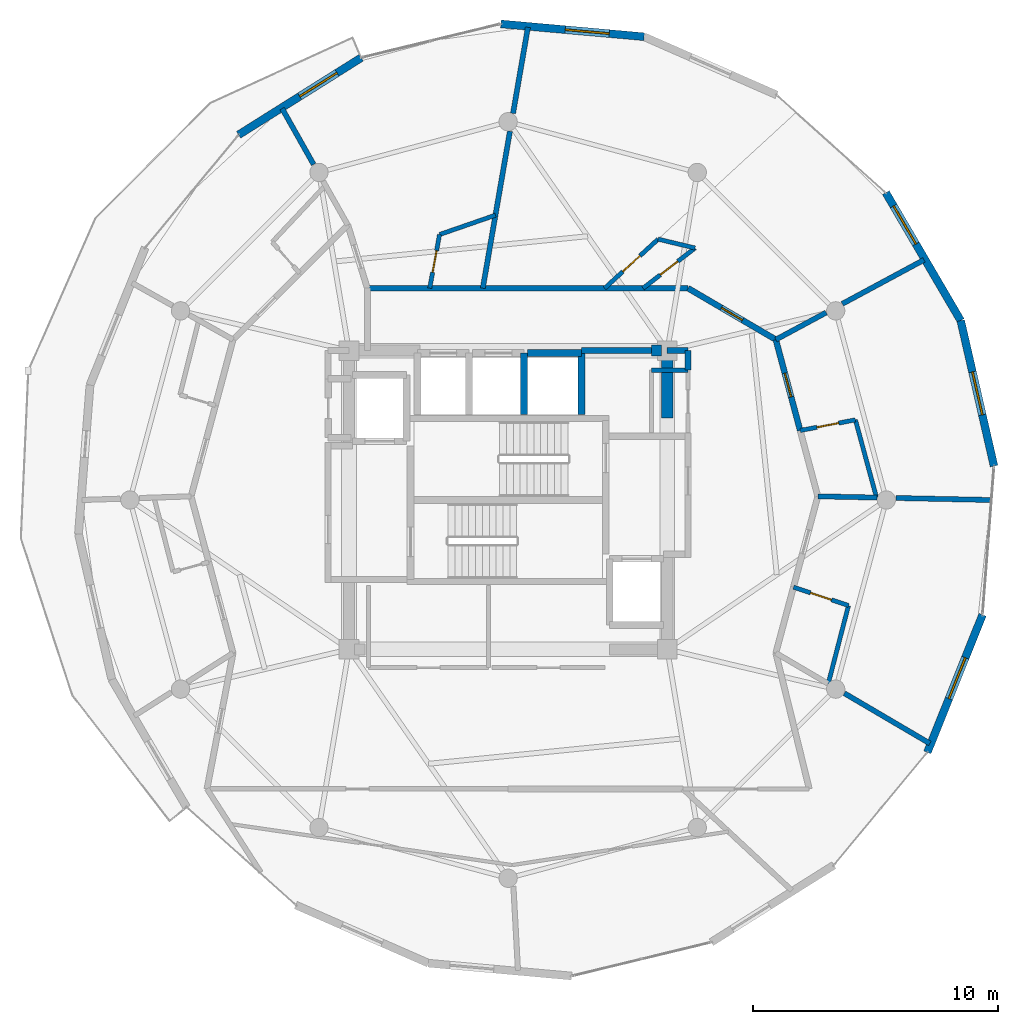
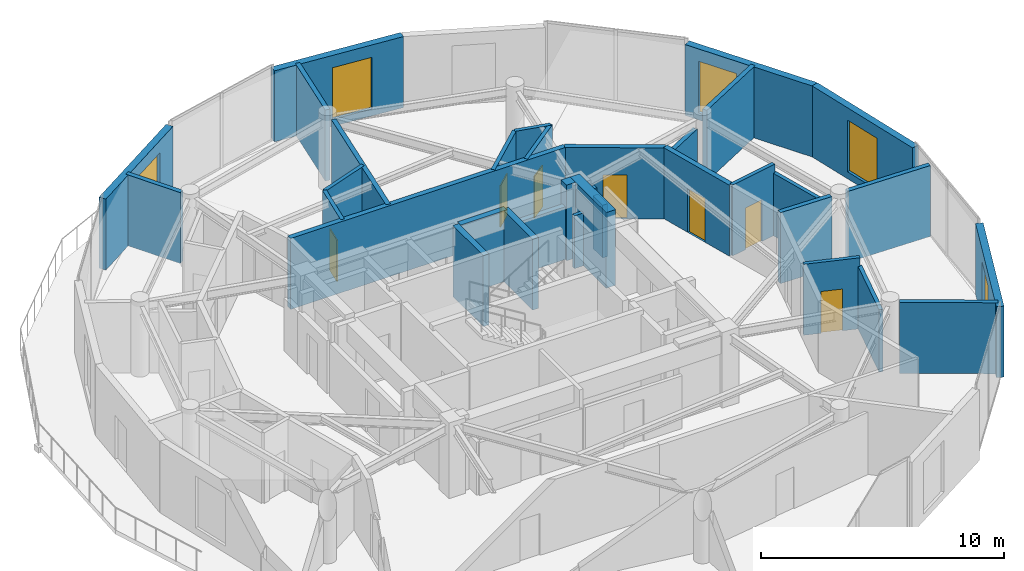
# One storey, part 16 of 19: 34 walls, 7 doors, 5 windows, 12 openings.
"""IFC4 building model written with IfcOpenShell, lengths in metres."""

from ifc_helpers import new_model, si_unit, direction, frame, frame_2d, origin, place, context, subcontext, project, spatial, rectangle, extrude, material, layer, layer_set, type_object, element, fill, save


model = new_model("IFC4")

# Units and contexts
model_context = context("Model", 3, precision=1e-05, world=origin(), true_north=direction((0.0, 1.0)))
body_context = subcontext(model_context, "Body", "Model", "MODEL_VIEW")
ifc_project = project(units=[si_unit("LENGTHUNIT", "METRE"), si_unit("AREAUNIT", "SQUARE_METRE"), si_unit("VOLUMEUNIT", "CUBIC_METRE"), si_unit("PLANEANGLEUNIT", "RADIAN"), si_unit("MASSUNIT", "GRAM", prefix="KILO")], contexts=[model_context])

# Site, building, storey
site_placement = place(None, origin())
site = spatial("IfcSite", under=ifc_project, at=site_placement, CompositionType="ELEMENT")
building_placement = place(site_placement, origin())
building = spatial("IfcBuilding", under=site, at=building_placement, Name="Solvirekh Grand Hotel", CompositionType="ELEMENT")
storey_placement = place(building_placement, frame((0.0, 0.0, 266.800048828125)))
storey = spatial("IfcBuildingStorey", under=building, at=storey_placement, Name="L69", CompositionType="ELEMENT", Elevation=266.800048828125)

# Walls
ifc_material_1 = material(Name="Concrete C40/50", Category="concrete")
ifc_layer_1 = layer(ifc_material_1, 0.280029296875)
ifc_layer_set_1 = layer_set([ifc_layer_1], Name="Concrete C40/50")
wall_type_1 = type_object("IfcWallType", Name="CoreShaftWall_RC280", PredefinedType="SOLIDWALL", material=ifc_layer_set_1)
wall_1_placement = place(storey_placement, frame((0.64990234375, 3.5, 0.0), z_axis=(0.0, 0.0, 1.0), x_axis=(0.0, 1.0, 0.0)))
element("IfcWall", 1, at=wall_1_placement, inside=storey, type_object=wall_type_1, Name="L69 HP-2 hoistway E wall", PredefinedType="SOLIDWALL", context=body_context, shape_type="SweptSolid", body=[
    extrude(rectangle(XDim=2.5, YDim=0.280029296875, at=frame_2d((1.25, 0.0))), origin(), (0.0, 0.0, 1.0), 3.570068359375),
])
wall_2_placement = place(storey_placement, frame((3.0, 6.0, 0.0), z_axis=(0.0, 0.0, 1.0), x_axis=(-1.0, 0.0, 0.0)))
element("IfcWall", 2, at=wall_2_placement, inside=storey, type_object=wall_type_1, Name="L69 EX-1 hoistway N wall", PredefinedType="SOLIDWALL", context=body_context, shape_type="SweptSolid", body=[
    extrude(rectangle(XDim=2.199951171875, YDim=0.280029296875, at=frame_2d((1.10009765625, 0.0))), origin(), (0.0, 0.0, 1.0), 3.570068359375),
])
wall_3_placement = place(storey_placement, frame((3.0, 3.5, 0.0), z_axis=(0.0, 0.0, 1.0), x_axis=(0.0, 1.0, 0.0)))
element("IfcWall", 3, at=wall_3_placement, inside=storey, type_object=wall_type_1, Name="L69 EX-1 hoistway E wall", PredefinedType="SOLIDWALL", context=body_context, shape_type="SweptSolid", body=[
    extrude(rectangle(XDim=2.5, YDim=0.280029296875, at=frame_2d((1.25, 0.0))), origin(), (0.0, 0.0, 1.0), 3.570068359375),
])
ifc_material_2 = material(Name="Concrete C50/60", Category="concrete")
ifc_layer_2 = layer(ifc_material_2, 0.449951171875)
ifc_layer_set_2 = layer_set([ifc_layer_2], Name="Concrete C50/60")
wall_type_2 = type_object("IfcWallType", Name="CoreWall_RC450", PredefinedType="SHEAR", material=ifc_layer_set_2)
wall_4_placement = place(storey_placement, frame((5.85009765625, 6.10009765625, 0.0), z_axis=(0.0, 0.0, 1.0), x_axis=(1.0, 0.0, 0.0)))
element("IfcWall", 4, at=wall_4_placement, inside=storey, type_object=wall_type_2, Name="L69 core corner shear wall NE-N", PredefinedType="SHEAR", context=body_context, shape_type="SweptSolid", body=[
    extrude(rectangle(XDim=0.4248046875, YDim=0.449951171875, at=frame_2d((0.21240234375, 0.0))), origin(), (0.0, 0.0, 1.0), 3.800048828125),
])
wall_5_placement = place(storey_placement, frame((6.5, 3.35009765625, 0.0), z_axis=(0.0, 0.0, 1.0), x_axis=(0.0, 1.0, 0.0)))
element("IfcWall", 5, at=wall_5_placement, inside=storey, type_object=wall_type_2, Name="L69 core corner shear wall EN-E", PredefinedType="SHEAR", context=body_context, shape_type="SweptSolid", body=[
    extrude(rectangle(XDim=2.974853515625, YDim=0.449951171875, at=frame_2d((1.4873046875, 0.0))), origin(), (0.0, 0.0, 1.0), 3.800048828125),
])

# Wall, opening, window
ifc_material_3 = material(Name="Precast concrete C45/55", Category="concrete")
ifc_layer_3 = layer(ifc_material_3, 0.320068359375)
ifc_layer_set_3 = layer_set([ifc_layer_3], Name="Precast concrete C45/55")
wall_type_3 = type_object("IfcWallType", Name="ExtLobbyWall_RC320", PredefinedType="SOLIDWALL", material=ifc_layer_set_3)
wall_6_placement = place(storey_placement, frame((19.37890625, -4.69091796875, 0.0), z_axis=(0.0, 0.0, 1.0), x_axis=(-0.3723361771, -0.928097931914, 0.0)))
wall_6 = element("IfcWall", 6, at=wall_6_placement, inside=storey, type_object=wall_type_3, Name="L69 exterior structural wall chord 4", PredefinedType="SOLIDWALL", context=body_context, shape_type="SweptSolid", body=[
    extrude(rectangle(XDim=6.053466796875, YDim=0.320068359375, at=frame_2d((3.02685546875, 0.0))), origin(), (0.0, 0.0, 1.0), 3.570068359375),
])
opening_1_placement = place(wall_6_placement, frame((1.888916015625, 0.0, 0.35009765625)))
opening_1 = element("IfcOpeningElement", 7, at=opening_1_placement, cuts=wall_6, Name="Opening W02", PredefinedType="OPENING", context=body_context, shape_type="SweptSolid", body=[
    extrude(rectangle(XDim=1.800048828125, YDim=2.60009765625, at=frame_2d((0.89990234375, 1.300048828125))), frame((0.0, 0.169921875, 0.0), z_axis=(0.0, -1.0, 0.0), x_axis=(1.0, 0.0, 0.0)), (0.0, 0.0, 1.0), 0.340087890625),
])
ifc_material_4 = material(Name="Low-E Tinted Bronze Laminated Glass", Category="aluminium")
window_type = type_object("IfcWindowType", Name="Win_LobbyExt_1800X2600", PartitioningType="SINGLE_PANEL", PredefinedType="WINDOW", material=ifc_material_4)
window_1_placement = place(opening_1_placement, origin())
window_1 = element("IfcWindow", 8, at=window_1_placement, inside=storey, type_object=window_type, Name="L69 panoramic bronze-framed window 4", OverallHeight=2.60009765625, OverallWidth=1.800048828125, PartitioningType="SINGLE_PANEL", PredefinedType="WINDOW", context=body_context, shape_type="SweptSolid", body=[
    extrude(rectangle(XDim=1.800048828125, YDim=2.60009765625, at=frame_2d((0.89990234375, 1.300048828125))), frame((0.0, 0.030029296875, 0.0), z_axis=(0.0, -1.0, 0.0), x_axis=(1.0, 0.0, 0.0)), (0.0, 0.0, 1.0), 0.06005859375),
])
fill(opening_1, window_1)

wall_7_placement = place(storey_placement, frame((18.488037109375, 7.327880859375, 0.0), z_axis=(0.0, 0.0, 1.0), x_axis=(0.223282610096, -0.974753751482, 0.0)))
wall_7 = element("IfcWall", 9, at=wall_7_placement, inside=storey, type_object=wall_type_3, Name="L69 exterior structural wall chord 6", PredefinedType="SOLIDWALL", context=body_context, shape_type="SweptSolid", body=[
    extrude(rectangle(XDim=6.095703125, YDim=0.320068359375, at=frame_2d((3.0478515625, 0.0))), origin(), (0.0, 0.0, 1.0), 3.570068359375),
])
opening_2_placement = place(wall_7_placement, frame((2.14794921875, 0.0, 0.35009765625)))
opening_2 = element("IfcOpeningElement", 10, at=opening_2_placement, cuts=wall_7, Name="Opening W02", PredefinedType="OPENING", context=body_context, shape_type="SweptSolid", body=[
    extrude(rectangle(XDim=1.800048828125, YDim=2.60009765625, at=frame_2d((0.89990234375, 1.300048828125))), frame((0.0, 0.169921875, 0.0), z_axis=(0.0, -1.0, 0.0), x_axis=(1.0, 0.0, 0.0)), (0.0, 0.0, 1.0), 0.340087890625),
])
window_2_placement = place(opening_2_placement, origin())
window_2 = element("IfcWindow", 11, at=window_2_placement, inside=storey, type_object=window_type, Name="L69 panoramic bronze-framed window 6", OverallHeight=2.60009765625, OverallWidth=1.800048828125, PartitioningType="SINGLE_PANEL", PredefinedType="WINDOW", context=body_context, shape_type="SweptSolid", body=[
    extrude(rectangle(XDim=1.800048828125, YDim=2.60009765625, at=frame_2d((0.89990234375, 1.300048828125))), frame((0.0, 0.030029296875, 0.0), z_axis=(0.0, -1.0, 0.0), x_axis=(1.0, 0.0, 0.0)), (0.0, 0.0, 1.0), 0.06005859375),
])
fill(opening_2, window_2)

wall_8_placement = place(storey_placement, frame((15.429931640625, 12.552001953125, 0.0), z_axis=(0.0, 0.0, 1.0), x_axis=(0.505189458577, -0.863008465163, 0.0)))
wall_8 = element("IfcWall", 12, at=wall_8_placement, inside=storey, type_object=wall_type_3, Name="L69 exterior structural wall chord 7", PredefinedType="SOLIDWALL", context=body_context, shape_type="SweptSolid", body=[
    extrude(rectangle(XDim=6.053466796875, YDim=0.320068359375, at=frame_2d((3.02685546875, 0.0))), origin(), (0.0, 0.0, 1.0), 3.570068359375),
])
opening_3_placement = place(wall_8_placement, frame((0.626953125, 0.0, 0.35009765625)))
opening_3 = element("IfcOpeningElement", 13, at=opening_3_placement, cuts=wall_8, Name="Opening W02", PredefinedType="OPENING", context=body_context, shape_type="SweptSolid", body=[
    extrude(rectangle(XDim=1.800048828125, YDim=2.60009765625, at=frame_2d((0.89990234375, 1.300048828125))), frame((0.0, 0.169921875, 0.0), z_axis=(0.0, -1.0, 0.0), x_axis=(1.0, 0.0, 0.0)), (0.0, 0.0, 1.0), 0.340087890625),
])
window_3_placement = place(opening_3_placement, origin())
window_3 = element("IfcWindow", 14, at=window_3_placement, inside=storey, type_object=window_type, Name="L69 panoramic bronze-framed window 7", OverallHeight=2.60009765625, OverallWidth=1.800048828125, PartitioningType="SINGLE_PANEL", PredefinedType="WINDOW", context=body_context, shape_type="SweptSolid", body=[
    extrude(rectangle(XDim=1.800048828125, YDim=2.60009765625, at=frame_2d((0.89990234375, 1.300048828125))), frame((0.0, 0.030029296875, 0.0), z_axis=(0.0, -1.0, 0.0), x_axis=(1.0, 0.0, 0.0)), (0.0, 0.0, 1.0), 0.06005859375),
])
fill(opening_3, window_3)

wall_9_placement = place(storey_placement, frame((-0.2919921875, 19.447021484375, 0.0), z_axis=(0.0, 0.0, 1.0), x_axis=(0.996011950585, -0.08921992094, 0.0)))
wall_9 = element("IfcWall", 15, at=wall_9_placement, inside=storey, type_object=wall_type_3, Name="L69 exterior structural wall chord 10", PredefinedType="SOLIDWALL", context=body_context, shape_type="SweptSolid", body=[
    extrude(rectangle(XDim=5.872314453125, YDim=0.320068359375, at=frame_2d((2.93603515625, 0.0))), origin(), (0.0, 0.0, 1.0), 3.570068359375),
])
opening_4_placement = place(wall_9_placement, frame((2.64111328125, 0.0, 0.35009765625)))
opening_4 = element("IfcOpeningElement", 16, at=opening_4_placement, cuts=wall_9, Name="Opening W02", PredefinedType="OPENING", context=body_context, shape_type="SweptSolid", body=[
    extrude(rectangle(XDim=1.800048828125, YDim=2.60009765625, at=frame_2d((0.89990234375, 1.300048828125))), frame((0.0, 0.169921875, 0.0), z_axis=(0.0, -1.0, 0.0), x_axis=(1.0, 0.0, 0.0)), (0.0, 0.0, 1.0), 0.340087890625),
])
window_4_placement = place(opening_4_placement, origin())
window_4 = element("IfcWindow", 17, at=window_4_placement, inside=storey, type_object=window_type, Name="L69 panoramic bronze-framed window 10", OverallHeight=2.60009765625, OverallWidth=1.800048828125, PartitioningType="SINGLE_PANEL", PredefinedType="WINDOW", context=body_context, shape_type="SweptSolid", body=[
    extrude(rectangle(XDim=1.800048828125, YDim=2.60009765625, at=frame_2d((0.89990234375, 1.300048828125))), frame((0.0, 0.030029296875, 0.0), z_axis=(0.0, -1.0, 0.0), x_axis=(1.0, 0.0, 0.0)), (0.0, 0.0, 1.0), 0.06005859375),
])
fill(opening_4, window_4)

wall_10_placement = place(storey_placement, frame((-11.007080078125, 14.91796875, 0.0), z_axis=(0.0, 0.0, 1.0), x_axis=(0.846634423967, 0.532174926273, 0.0)))
wall_10 = element("IfcWall", 18, at=wall_10_placement, inside=storey, type_object=wall_type_3, Name="L69 exterior structural wall chord 12", PredefinedType="SOLIDWALL", context=body_context, shape_type="SweptSolid", body=[
    extrude(rectangle(XDim=5.915283203125, YDim=0.320068359375, at=frame_2d((2.95751953125, 0.0))), origin(), (0.0, 0.0, 1.0), 3.570068359375),
])
opening_5_placement = place(wall_10_placement, frame((2.947998046875, 0.0, 0.35009765625)))
opening_5 = element("IfcOpeningElement", 19, at=opening_5_placement, cuts=wall_10, Name="Opening W02", PredefinedType="OPENING", context=body_context, shape_type="SweptSolid", body=[
    extrude(rectangle(XDim=1.800048828125, YDim=2.60009765625, at=frame_2d((0.89990234375, 1.300048828125))), frame((0.0, 0.169921875, 0.0), z_axis=(0.0, -1.0, 0.0), x_axis=(1.0, 0.0, 0.0)), (0.0, 0.0, 1.0), 0.340087890625),
])
window_5_placement = place(opening_5_placement, origin())
window_5 = element("IfcWindow", 20, at=window_5_placement, inside=storey, type_object=window_type, Name="L69 panoramic bronze-framed window 12", OverallHeight=2.60009765625, OverallWidth=1.800048828125, PartitioningType="SINGLE_PANEL", PredefinedType="WINDOW", context=body_context, shape_type="SweptSolid", body=[
    extrude(rectangle(XDim=1.800048828125, YDim=2.60009765625, at=frame_2d((0.89990234375, 1.300048828125))), frame((0.0, 0.030029296875, 0.0), z_axis=(0.0, -1.0, 0.0), x_axis=(1.0, 0.0, 0.0)), (0.0, 0.0, 1.0), 0.06005859375),
])
fill(opening_5, window_5)

# Walls
ifc_material_5 = material(Name="Acoustic Gypsum Partition Assembly")
ifc_layer_4 = layer(ifc_material_5, 0.1650390625)
ifc_layer_set_4 = layer_set([ifc_layer_4], Name="Acoustic Gypsum Partition Assembly")
wall_type_4 = type_object("IfcWallType", Name="Part_BOH_165", PredefinedType="PARTITIONING", material=ifc_layer_set_4)
wall_11_placement = place(storey_placement, frame((7.35009765625, 5.300048828125, 0.0), z_axis=(0.0, 0.0, 1.0), x_axis=(-1.0, 0.0, 0.0)))
element("IfcWall", 21, at=wall_11_placement, inside=storey, type_object=wall_type_4, Name="L69 L69 Core Housekeeping & Linen Room wall 3", PredefinedType="PARTITIONING", context=body_context, shape_type="SweptSolid", body=[
    extrude(rectangle(XDim=1.5, YDim=0.1650390625, at=frame_2d((0.75, 0.0))), origin(), (0.0, 0.0, 1.0), 2.655029296875),
])
ifc_layer_5 = layer(ifc_material_5, 0.239990234375)
ifc_layer_set_5 = layer_set([ifc_layer_5], Name="Acoustic Gypsum Partition Assembly")
wall_type_5 = type_object("IfcWallType", Name="Part_Corridor_240", PredefinedType="PARTITIONING", material=ifc_layer_set_5)
wall_12_placement = place(storey_placement, frame((-5.75, 8.64990234375, 0.0), z_axis=(0.0, 0.0, 1.0), x_axis=(1.0, 0.0, 0.0)))
element("IfcWall", 22, at=wall_12_placement, inside=storey, type_object=wall_type_5, Name="L69 north lift lobby enclosure wall", PredefinedType="PARTITIONING", context=body_context, shape_type="SweptSolid", body=[
    extrude(rectangle(XDim=13.10009765625, YDim=0.239990234375, at=frame_2d((6.550048828125, 0.0))), origin(), (0.0, 0.0, 1.0), 3.570068359375),
])
wall_13_placement = place(storey_placement, frame((3.0, 6.10009765625, 0.0), z_axis=(0.0, 0.0, 1.0), x_axis=(1.0, 0.0, 0.0)))
element("IfcWall", 23, at=wall_13_placement, inside=storey, type_object=wall_type_5, Name="L69 north core shaft infill wall", PredefinedType="PARTITIONING", context=body_context, shape_type="SweptSolid", body=[
    extrude(rectangle(XDim=2.85009765625, YDim=0.239990234375, at=frame_2d((1.425048828125, 0.0))), origin(), (0.0, 0.0, 1.0), 2.655029296875),
])
wall_14_placement = place(storey_placement, frame((7.35009765625, 5.300048828125, 0.0), z_axis=(0.0, 0.0, 1.0), x_axis=(0.0, 1.0, 0.0)))
element("IfcWall", 24, at=wall_14_placement, inside=storey, type_object=wall_type_5, Name="L69 NE core cheek closure wall", PredefinedType="PARTITIONING", context=body_context, shape_type="SweptSolid", body=[
    extrude(rectangle(XDim=0.800048828125, YDim=0.239990234375, at=frame_2d((0.39990234375, 0.0))), origin(), (0.0, 0.0, 1.0), 2.655029296875),
])
wall_15_placement = place(storey_placement, frame((6.5, 6.10009765625, 0.0), z_axis=(0.0, 0.0, 1.0), x_axis=(1.0, 0.0, 0.0)))
element("IfcWall", 25, at=wall_15_placement, inside=storey, type_object=wall_type_5, Name="L69 NE core corner tie wall", PredefinedType="PARTITIONING", context=body_context, shape_type="SweptSolid", body=[
    extrude(rectangle(XDim=0.85009765625, YDim=0.239990234375, at=frame_2d((0.425048828125, 0.0))), origin(), (0.0, 0.0, 1.0), 3.0849609375),
])

# Wall, opening, door
wall_16_placement = place(storey_placement, frame((7.35009765625, 8.64990234375, 0.0), z_axis=(0.0, 0.0, 1.0), x_axis=(0.862873842462, -0.505419362505, 0.0)))
wall_16 = element("IfcWall", 26, at=wall_16_placement, inside=storey, type_object=wall_type_5, Name="L69 Deluxe Guestroom 7101 entrance wall", PredefinedType="PARTITIONING", context=body_context, shape_type="SweptSolid", body=[
    extrude(rectangle(XDim=4.15478515625, YDim=0.239990234375, at=frame_2d((2.077392578125, 0.0))), origin(), (0.0, 0.0, 1.0), 3.570068359375),
])
opening_6_placement = place(wall_16_placement, frame((1.576904296875, 0.0, 0.0)))
opening_6 = element("IfcOpeningElement", 27, at=opening_6_placement, cuts=wall_16, Name="Opening D07", PredefinedType="OPENING", context=body_context, shape_type="SweptSolid", body=[
    extrude(rectangle(XDim=1.0, YDim=2.199951171875, at=frame_2d((0.5, 1.10009765625))), frame((0.0, 0.1298828125, 0.0), z_axis=(0.0, -1.0, 0.0), x_axis=(1.0, 0.0, 0.0)), (0.0, 0.0, 1.0), 0.260009765625),
])
ifc_material_6 = material(Name="Fire-Rated Steel Door Assembly", Category="steel")
door_type_1 = type_object("IfcDoorType", Name="Door_GuestEntry_1000X2200", OperationType="NOTDEFINED", PredefinedType="DOOR", material=ifc_material_6)
door_1_placement = place(opening_6_placement, origin())
door_1 = element("IfcDoor", 28, at=door_1_placement, inside=storey, type_object=door_type_1, Name="L69 Deluxe Guestroom 7101 entrance door", OperationType="SINGLE_SWING_RIGHT", OverallHeight=2.199951171875, OverallWidth=1.0, PredefinedType="DOOR", context=body_context, shape_type="SweptSolid", body=[
    extrude(rectangle(XDim=1.0, YDim=2.199951171875, at=frame_2d((0.5, 1.10009765625))), frame((0.0, 0.02490234375, 0.0), z_axis=(0.0, -1.0, 0.0), x_axis=(1.0, 0.0, 0.0)), (0.0, 0.0, 1.0), 0.050048828125),
])
fill(opening_6, door_1)

wall_17_placement = place(storey_placement, frame((11.929931640625, 2.837890625, 0.0), z_axis=(0.0, 0.0, 1.0), x_axis=(-0.258868389222, 0.965912603221, 0.0)))
wall_17 = element("IfcWall", 29, at=wall_17_placement, inside=storey, type_object=wall_type_5, Name="L69 Deluxe Guestroom 7107 entrance wall", PredefinedType="PARTITIONING", context=body_context, shape_type="SweptSolid", body=[
    extrude(rectangle(XDim=3.84326171875, YDim=0.239990234375, at=frame_2d((1.921630859375, 0.0))), origin(), (0.0, 0.0, 1.0), 3.570068359375),
])
opening_7_placement = place(wall_17_placement, frame((1.422119140625, 0.0, 0.0)))
opening_7 = element("IfcOpeningElement", 30, at=opening_7_placement, cuts=wall_17, Name="Opening D07", PredefinedType="OPENING", context=body_context, shape_type="SweptSolid", body=[
    extrude(rectangle(XDim=1.0, YDim=2.199951171875, at=frame_2d((0.5, 1.10009765625))), frame((0.0, 0.1298828125, 0.0), z_axis=(0.0, -1.0, 0.0), x_axis=(1.0, 0.0, 0.0)), (0.0, 0.0, 1.0), 0.260009765625),
])
door_2_placement = place(opening_7_placement, origin())
door_2 = element("IfcDoor", 31, at=door_2_placement, inside=storey, type_object=door_type_1, Name="L69 Deluxe Guestroom 7107 entrance door", OperationType="SINGLE_SWING_LEFT", OverallHeight=2.199951171875, OverallWidth=1.0, PredefinedType="DOOR", context=body_context, shape_type="SweptSolid", body=[
    extrude(rectangle(XDim=1.0, YDim=2.199951171875, at=frame_2d((0.5, 1.10009765625))), frame((0.0, 0.02490234375, 0.0), z_axis=(0.0, -1.0, 0.0), x_axis=(1.0, 0.0, 0.0)), (0.0, 0.0, 1.0), 0.050048828125),
])
fill(opening_7, door_2)

# Walls
ifc_layer_6 = layer(ifc_material_5, 0.2099609375)
ifc_layer_set_6 = layer_set([ifc_layer_6], Name="Acoustic Gypsum Partition Assembly")
wall_type_6 = type_object("IfcWallType", Name="Part_SuiteDemise_210", PredefinedType="PARTITIONING", material=ifc_layer_set_6)
wall_18_placement = place(storey_placement, frame((12.64990234375, 0.14990234375, 0.0), z_axis=(0.0, 0.0, 1.0), x_axis=(0.999779360872, -0.02100546536, 0.0)))
element("IfcWall", 32, at=wall_18_placement, inside=storey, type_object=wall_type_6, Name="L69 suite radial wall 1 (A)", PredefinedType="PARTITIONING", context=body_context, shape_type="SweptSolid", body=[
    extrude(rectangle(XDim=2.41748046875, YDim=0.2099609375, at=frame_2d((1.208740234375, 0.0))), origin(), (0.0, 0.0, 1.0), 3.570068359375),
])
wall_19_placement = place(storey_placement, frame((15.8359375, 0.08203125, 0.0), z_axis=(0.0, 0.0, 1.0), x_axis=(0.999774956848, -0.021214043922, 0.0)))
element("IfcWall", 33, at=wall_19_placement, inside=storey, type_object=wall_type_6, Name="L69 suite radial wall 1 (B)", PredefinedType="PARTITIONING", context=body_context, shape_type="SweptSolid", body=[
    extrude(rectangle(XDim=3.866943359375, YDim=0.2099609375, at=frame_2d((1.93359375, 0.0))), origin(), (0.0, 0.0, 1.0), 3.570068359375),
])
wall_20_placement = place(storey_placement, frame((10.93505859375, 6.550048828125, 0.0), z_axis=(0.0, 0.0, 1.0), x_axis=(0.8804878863, 0.474068647011, 0.0)))
element("IfcWall", 34, at=wall_20_placement, inside=storey, type_object=wall_type_6, Name="L69 suite radial wall 2 (A)", PredefinedType="PARTITIONING", context=body_context, shape_type="SweptSolid", body=[
    extrude(rectangle(XDim=2.3349609375, YDim=0.2099609375, at=frame_2d((1.16748046875, 0.0))), origin(), (0.0, 0.0, 1.0), 3.0849609375),
])
wall_21_placement = place(storey_placement, frame((13.65087890625, 8.011962890625, 0.0), z_axis=(0.0, 0.0, 1.0), x_axis=(0.880508317837, 0.47403069755, 0.0)))
element("IfcWall", 35, at=wall_21_placement, inside=storey, type_object=wall_type_6, Name="L69 suite radial wall 2 (B)", PredefinedType="PARTITIONING", context=body_context, shape_type="SweptSolid", body=[
    extrude(rectangle(XDim=3.791259765625, YDim=0.2099609375, at=frame_2d((1.8955078125, 0.0))), origin(), (0.0, 0.0, 1.0), 3.570068359375),
])
wall_22_placement = place(storey_placement, frame((-7.945068359375, 13.7080078125, 0.0), z_axis=(0.0, 0.0, 1.0), x_axis=(-0.490956426974, 0.87118412911, 0.0)))
element("IfcWall", 36, at=wall_22_placement, inside=storey, type_object=wall_type_6, Name="L69 suite radial wall 5 (B)", PredefinedType="PARTITIONING", context=body_context, shape_type="SweptSolid", body=[
    extrude(rectangle(XDim=2.6171875, YDim=0.2099609375, at=frame_2d((1.30859375, 0.0))), origin(), (0.0, 0.0, 1.0), 3.570068359375),
])
wall_23_placement = place(storey_placement, frame((13.736083984375, -7.89501953125, 0.0), z_axis=(0.0, 0.0, 1.0), x_axis=(0.862264130703, -0.506458852132, 0.0)))
element("IfcWall", 37, at=wall_23_placement, inside=storey, type_object=wall_type_6, Name="L69 suite radial wall 12 (B)", PredefinedType="PARTITIONING", context=body_context, shape_type="SweptSolid", body=[
    extrude(rectangle(XDim=4.0498046875, YDim=0.2099609375, at=frame_2d((2.02490234375, 0.0))), origin(), (0.0, 0.0, 1.0), 3.570068359375),
])
wall_24_placement = place(storey_placement, frame((-1.033935546875, 8.64990234375, 0.0), z_axis=(0.0, 0.0, 1.0), x_axis=(0.170406932978, 0.985373775373, 0.0)))
element("IfcWall", 38, at=wall_24_placement, inside=storey, type_object=wall_type_6, Name="L69 Panorama Suite 7101 North Observatory Study dividing partition 1 (A)", PredefinedType="PARTITIONING", context=body_context, shape_type="SweptSolid", body=[
    extrude(rectangle(XDim=6.50732421875, YDim=0.2099609375, at=frame_2d((3.253662109375, 0.0))), origin(), (0.0, 0.0, 1.0), 3.570068359375),
])
wall_25_placement = place(storey_placement, frame((0.200927734375, 15.7900390625, 0.0), z_axis=(0.0, 0.0, 1.0), x_axis=(0.170339696933, 0.985385400566, 0.0)))
element("IfcWall", 39, at=wall_25_placement, inside=storey, type_object=wall_type_6, Name="L69 Panorama Suite 7101 North Observatory Study dividing partition 1 (B)", PredefinedType="PARTITIONING", context=body_context, shape_type="SweptSolid", body=[
    extrude(rectangle(XDim=3.5703125, YDim=0.2099609375, at=frame_2d((1.78515625, 0.0))), origin(), (0.0, 0.0, 1.0), 3.570068359375),
])
ifc_layer_7 = layer(ifc_material_5, 0.175048828125)
ifc_layer_set_7 = layer_set([ifc_layer_7], Name="Acoustic Gypsum Partition Assembly")
wall_type_7 = type_object("IfcWallType", Name="Plumb_Ensuite_175", PredefinedType="PLUMBINGWALL", material=ifc_layer_set_7)
wall_26_placement = place(storey_placement, frame((6.126953125, 10.654052734375, 0.0), z_axis=(0.0, 0.0, 1.0), x_axis=(0.972545612194, -0.23271233788, 0.0)))
element("IfcWall", 40, at=wall_26_placement, inside=storey, type_object=wall_type_7, Name="L69 En-suite Bathroom 7101 outer plumbing wall", PredefinedType="PLUMBINGWALL", context=body_context, shape_type="SweptSolid", body=[
    extrude(rectangle(XDim=1.551513671875, YDim=0.175048828125, at=frame_2d((0.77587890625, 0.0))), origin(), (0.0, 0.0, 1.0), 3.570068359375),
])

# Wall, opening, door
wall_27_placement = place(storey_placement, frame((6.126953125, 10.654052734375, 0.0), z_axis=(0.0, 0.0, 1.0), x_axis=(-0.736616996747, -0.676310136035, 0.0)))
wall_27 = element("IfcWall", 41, at=wall_27_placement, inside=storey, type_object=wall_type_7, Name="L69 En-suite Bathroom 7101 side plumbing wall", PredefinedType="PLUMBINGWALL", context=body_context, shape_type="SweptSolid", body=[
    extrude(rectangle(XDim=2.96337890625, YDim=0.175048828125, at=frame_2d((1.481689453125, 0.0))), origin(), (0.0, 0.0, 1.0), 3.570068359375),
])
opening_8_placement = place(wall_27_placement, frame((1.007080078125, 0.0, 0.0)))
opening_8 = element("IfcOpeningElement", 42, at=opening_8_placement, cuts=wall_27, Name="Opening D10", PredefinedType="OPENING", context=body_context, shape_type="SweptSolid", body=[
    extrude(rectangle(XDim=0.949951171875, YDim=2.10009765625, at=frame_2d((0.47509765625, 1.050048828125))), frame((0.0, 0.09765625, 0.0), z_axis=(0.0, -1.0, 0.0), x_axis=(1.0, 0.0, 0.0)), (0.0, 0.0, 1.0), 0.195068359375),
])
ifc_material_7 = material(Name="Anodized Bronze Aluminium 6063-T6", Category="aluminium")
door_type_2 = type_object("IfcDoorType", Name="Door_RoomInt_950X2100", OperationType="NOTDEFINED", PredefinedType="DOOR", material=ifc_material_7)
door_3_placement = place(opening_8_placement, origin())
door_3 = element("IfcDoor", 43, at=door_3_placement, inside=storey, type_object=door_type_2, Name="L69 Panorama Suite 7101 North Observatory Study master bedroom door", OperationType="SINGLE_SWING_LEFT", OverallHeight=2.10009765625, OverallWidth=0.949951171875, PredefinedType="DOOR", context=body_context, shape_type="SweptSolid", body=[
    extrude(rectangle(XDim=0.949951171875, YDim=2.10009765625, at=frame_2d((0.47509765625, 1.050048828125))), frame((0.0, 0.02490234375, 0.0), z_axis=(0.0, -1.0, 0.0), x_axis=(1.0, 0.0, 0.0)), (0.0, 0.0, 1.0), 0.050048828125),
])
fill(opening_8, door_3)

wall_28_placement = place(storey_placement, frame((5.510986328125, 8.64990234375, 0.0), z_axis=(0.0, 0.0, 1.0), x_axis=(0.791101070426, 0.611685455419, 0.0)))
wall_28 = element("IfcWall", 44, at=wall_28_placement, inside=storey, type_object=wall_type_7, Name="L69 En-suite Bathroom 7101 entry plumbing wall", PredefinedType="PLUMBINGWALL", context=body_context, shape_type="SweptSolid", body=[
    extrude(rectangle(XDim=2.68603515625, YDim=0.175048828125, at=frame_2d((1.343017578125, 0.0))), origin(), (0.0, 0.0, 1.0), 3.570068359375),
])
opening_9_placement = place(wall_28_placement, frame((0.89306640625, 0.0, 0.0)))
opening_9 = element("IfcOpeningElement", 45, at=opening_9_placement, cuts=wall_28, Name="Opening D09", PredefinedType="OPENING", context=body_context, shape_type="SweptSolid", body=[
    extrude(rectangle(XDim=0.89990234375, YDim=2.10009765625, at=frame_2d((0.449951171875, 1.050048828125))), frame((0.0, 0.09765625, 0.0), z_axis=(0.0, -1.0, 0.0), x_axis=(1.0, 0.0, 0.0)), (0.0, 0.0, 1.0), 0.195068359375),
])
door_type_3 = type_object("IfcDoorType", Name="Door_Ensuite_900X2100", OperationType="NOTDEFINED", PredefinedType="DOOR", material=ifc_material_7)
door_4_placement = place(opening_9_placement, origin())
door_4 = element("IfcDoor", 46, at=door_4_placement, inside=storey, type_object=door_type_3, Name="L69 En-suite Bathroom 7101 door", OperationType="SINGLE_SWING_LEFT", OverallHeight=2.10009765625, OverallWidth=0.89990234375, PredefinedType="DOOR", context=body_context, shape_type="SweptSolid", body=[
    extrude(rectangle(XDim=0.89990234375, YDim=2.10009765625, at=frame_2d((0.449951171875, 1.050048828125))), frame((0.0, 0.02490234375, 0.0), z_axis=(0.0, -1.0, 0.0), x_axis=(1.0, 0.0, 0.0)), (0.0, 0.0, 1.0), 0.050048828125),
])
fill(opening_9, door_4)

# Wall
wall_29_placement = place(storey_placement, frame((-2.801025390625, 10.843017578125, 0.0), z_axis=(0.0, 0.0, 1.0), x_axis=(0.944888722347, 0.327391665106, 0.0)))
element("IfcWall", 47, at=wall_29_placement, inside=storey, type_object=wall_type_7, Name="L69 En-suite Bathroom 7102 outer plumbing wall", PredefinedType="PLUMBINGWALL", context=body_context, shape_type="SweptSolid", body=[
    extrude(rectangle(XDim=2.416015625, YDim=0.175048828125, at=frame_2d((1.2080078125, 0.0))), origin(), (0.0, 0.0, 1.0), 3.570068359375),
])

# Wall, opening, door
wall_30_placement = place(storey_placement, frame((-2.801025390625, 10.843017578125, 0.0), z_axis=(0.0, 0.0, 1.0), x_axis=(-0.180234289761, -0.983623708943, 0.0)))
wall_30 = element("IfcWall", 48, at=wall_30_placement, inside=storey, type_object=wall_type_7, Name="L69 En-suite Bathroom 7102 entry plumbing wall", PredefinedType="PLUMBINGWALL", context=body_context, shape_type="SweptSolid", body=[
    extrude(rectangle(XDim=2.229736328125, YDim=0.175048828125, at=frame_2d((1.11474609375, 0.0))), origin(), (0.0, 0.0, 1.0), 3.570068359375),
])
opening_10_placement = place(wall_30_placement, frame((0.6650390625, 0.0, 0.0)))
opening_10 = element("IfcOpeningElement", 49, at=opening_10_placement, cuts=wall_30, Name="Opening D09", PredefinedType="OPENING", context=body_context, shape_type="SweptSolid", body=[
    extrude(rectangle(XDim=0.89990234375, YDim=2.10009765625, at=frame_2d((0.449951171875, 1.050048828125))), frame((0.0, 0.09765625, 0.0), z_axis=(0.0, -1.0, 0.0), x_axis=(1.0, 0.0, 0.0)), (0.0, 0.0, 1.0), 0.195068359375),
])
door_5_placement = place(opening_10_placement, origin())
door_5 = element("IfcDoor", 50, at=door_5_placement, inside=storey, type_object=door_type_3, Name="L69 En-suite Bathroom 7102 door", OperationType="SINGLE_SWING_RIGHT", OverallHeight=2.10009765625, OverallWidth=0.89990234375, PredefinedType="DOOR", context=body_context, shape_type="SweptSolid", body=[
    extrude(rectangle(XDim=0.89990234375, YDim=2.10009765625, at=frame_2d((0.449951171875, 1.050048828125))), frame((0.0, 0.02490234375, 0.0), z_axis=(0.0, -1.0, 0.0), x_axis=(1.0, 0.0, 0.0)), (0.0, 0.0, 1.0), 0.050048828125),
])
fill(opening_10, door_5)

# Wall
wall_31_placement = place(storey_placement, frame((13.074951171875, -7.507080078125, 0.0), z_axis=(0.0, 0.0, 1.0), x_axis=(0.250897983288, 0.968013533987, 0.0)))
element("IfcWall", 51, at=wall_31_placement, inside=storey, type_object=wall_type_7, Name="L69 En-suite Bathroom 7106 outer plumbing wall", PredefinedType="PLUMBINGWALL", context=body_context, shape_type="SweptSolid", body=[
    extrude(rectangle(XDim=3.300537109375, YDim=0.175048828125, at=frame_2d((1.650390625, 0.0))), origin(), (0.0, 0.0, 1.0), 3.136962890625),
])

# Wall, opening, door
wall_32_placement = place(storey_placement, frame((11.655029296875, -3.56201171875, 0.0), z_axis=(0.0, 0.0, 1.0), x_axis=(0.948600850467, -0.316475001372, 0.0)))
wall_32 = element("IfcWall", 52, at=wall_32_placement, inside=storey, type_object=wall_type_7, Name="L69 En-suite Bathroom 7106 entry plumbing wall", PredefinedType="PLUMBINGWALL", context=body_context, shape_type="SweptSolid", body=[
    extrude(rectangle(XDim=2.369873046875, YDim=0.175048828125, at=frame_2d((1.18505859375, 0.0))), origin(), (0.0, 0.0, 1.0), 3.570068359375),
])
opening_11_placement = place(wall_32_placement, frame((0.735107421875, 0.0, 0.0)))
opening_11 = element("IfcOpeningElement", 53, at=opening_11_placement, cuts=wall_32, Name="Opening D09", PredefinedType="OPENING", context=body_context, shape_type="SweptSolid", body=[
    extrude(rectangle(XDim=0.89990234375, YDim=2.10009765625, at=frame_2d((0.449951171875, 1.050048828125))), frame((0.0, 0.09765625, 0.0), z_axis=(0.0, -1.0, 0.0), x_axis=(1.0, 0.0, 0.0)), (0.0, 0.0, 1.0), 0.195068359375),
])
door_6_placement = place(opening_11_placement, origin())
door_6 = element("IfcDoor", 54, at=door_6_placement, inside=storey, type_object=door_type_3, Name="L69 En-suite Bathroom 7106 door", OperationType="SINGLE_SWING_RIGHT", OverallHeight=2.10009765625, OverallWidth=0.89990234375, PredefinedType="DOOR", context=body_context, shape_type="SweptSolid", body=[
    extrude(rectangle(XDim=0.89990234375, YDim=2.10009765625, at=frame_2d((0.449951171875, 1.050048828125))), frame((0.0, 0.02490234375, 0.0), z_axis=(0.0, -1.0, 0.0), x_axis=(1.0, 0.0, 0.0)), (0.0, 0.0, 1.0), 0.050048828125),
])
fill(opening_11, door_6)

# Wall
wall_33_placement = place(storey_placement, frame((15.048095703125, 0.09912109375, 0.0), z_axis=(0.0, 0.0, 1.0), x_axis=(-0.262319881737, 0.964980973722, 0.0)))
element("IfcWall", 55, at=wall_33_placement, inside=storey, type_object=wall_type_7, Name="L69 En-suite Bathroom 7107 outer plumbing wall", PredefinedType="PLUMBINGWALL", context=body_context, shape_type="SweptSolid", body=[
    extrude(rectangle(XDim=3.2900390625, YDim=0.175048828125, at=frame_2d((1.64501953125, 0.0))), origin(), (0.0, 0.0, 1.0), 3.136962890625),
])

# Wall, opening, door
wall_34_placement = place(storey_placement, frame((11.929931640625, 2.837890625, 0.0), z_axis=(0.0, 0.0, 1.0), x_axis=(0.981815654593, 0.189836825712, 0.0)))
wall_34 = element("IfcWall", 56, at=wall_34_placement, inside=storey, type_object=wall_type_7, Name="L69 En-suite Bathroom 7107 entry plumbing wall", PredefinedType="PLUMBINGWALL", context=body_context, shape_type="SweptSolid", body=[
    extrude(rectangle(XDim=2.296875, YDim=0.175048828125, at=frame_2d((1.1484375, 0.0))), origin(), (0.0, 0.0, 1.0), 3.570068359375),
])
opening_12_placement = place(wall_34_placement, frame((0.697998046875, 0.0, 0.0)))
opening_12 = element("IfcOpeningElement", 57, at=opening_12_placement, cuts=wall_34, Name="Opening D09", PredefinedType="OPENING", context=body_context, shape_type="SweptSolid", body=[
    extrude(rectangle(XDim=0.89990234375, YDim=2.10009765625, at=frame_2d((0.449951171875, 1.050048828125))), frame((0.0, 0.09765625, 0.0), z_axis=(0.0, -1.0, 0.0), x_axis=(1.0, 0.0, 0.0)), (0.0, 0.0, 1.0), 0.195068359375),
])
door_7_placement = place(opening_12_placement, origin())
door_7 = element("IfcDoor", 58, at=door_7_placement, inside=storey, type_object=door_type_3, Name="L69 En-suite Bathroom 7107 door", OperationType="SINGLE_SWING_RIGHT", OverallHeight=2.10009765625, OverallWidth=0.89990234375, PredefinedType="DOOR", context=body_context, shape_type="SweptSolid", body=[
    extrude(rectangle(XDim=0.89990234375, YDim=2.10009765625, at=frame_2d((0.449951171875, 1.050048828125))), frame((0.0, 0.02490234375, 0.0), z_axis=(0.0, -1.0, 0.0), x_axis=(1.0, 0.0, 0.0)), (0.0, 0.0, 1.0), 0.050048828125),
])
fill(opening_12, door_7)

save(model, "model.ifc")
